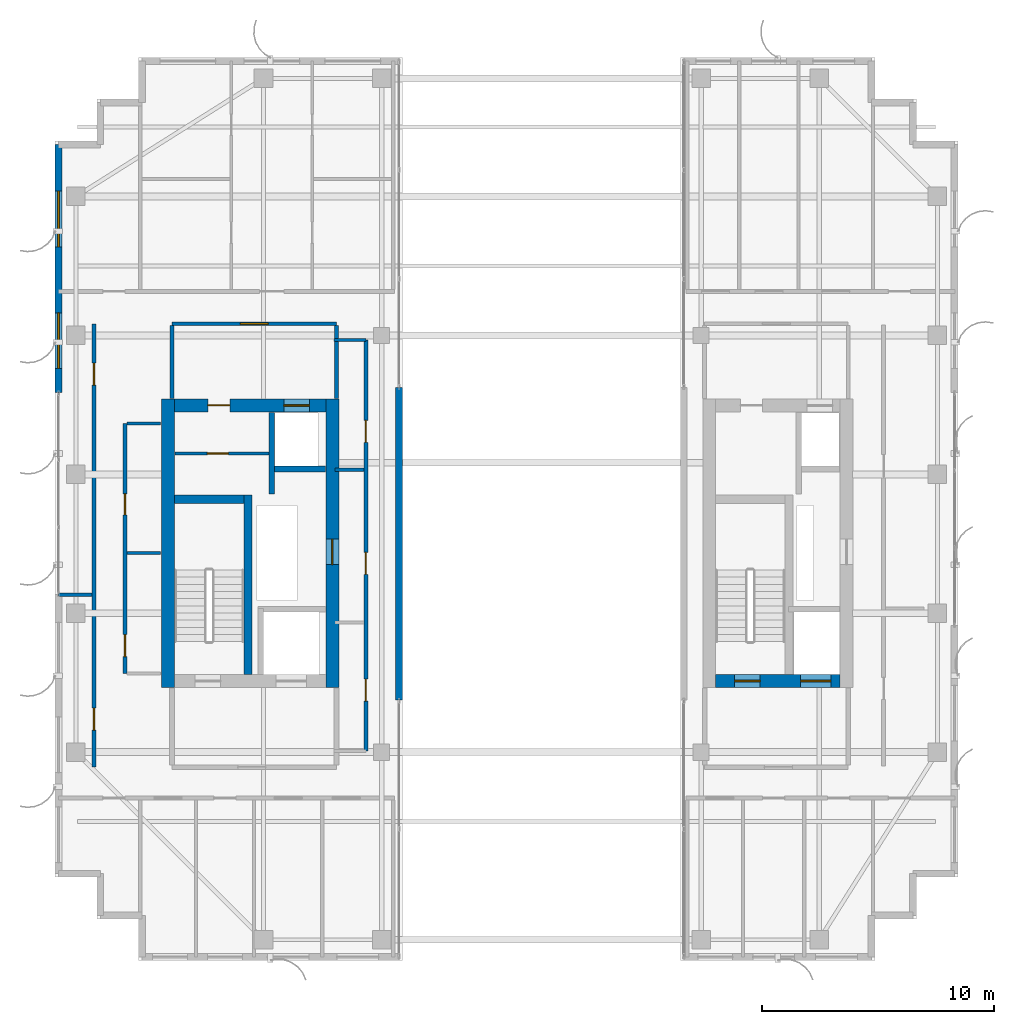
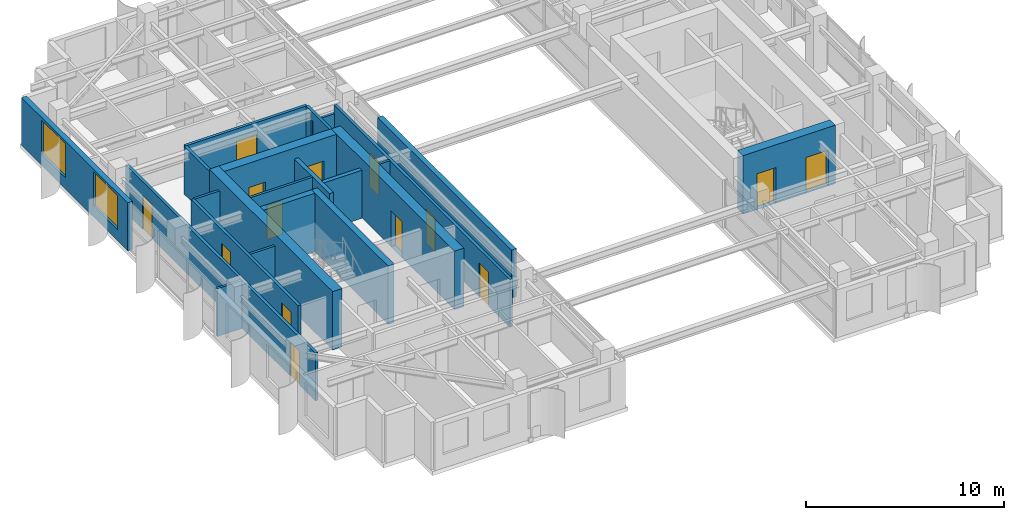
# One storey, part 20 of 25: 22 walls, 14 doors, 2 windows, 16 openings.
"""IFC4 building model written with IfcOpenShell, lengths in metres."""

from ifc_helpers import new_model, si_unit, direction, frame, frame_2d, origin, place, context, subcontext, project, spatial, rectangle, extrude, source, transform, mapped, material, layer, layer_set, type_object, element, fill, save


model = new_model("IFC4")

# Units and contexts
model_context = context("Model", 3, precision=1e-05, world=origin(), true_north=direction((0.0, 1.0)))
body_context = subcontext(model_context, "Body", "Model", "MODEL_VIEW")
ifc_project = project(units=[si_unit("LENGTHUNIT", "METRE"), si_unit("AREAUNIT", "SQUARE_METRE"), si_unit("VOLUMEUNIT", "CUBIC_METRE"), si_unit("PLANEANGLEUNIT", "RADIAN"), si_unit("MASSUNIT", "GRAM", prefix="KILO")], contexts=[model_context])

# Site, building, storey
site_placement = place(None, origin())
site = spatial("IfcSite", under=ifc_project, at=site_placement, CompositionType="ELEMENT")
building_placement = place(site_placement, origin())
building = spatial("IfcBuilding", under=site, at=building_placement, Name="Khoralis Quay Care Tower", CompositionType="ELEMENT")
storey_placement = place(building_placement, frame((0.0, 0.0, 263.699951171875)))
storey = spatial("IfcBuildingStorey", under=building, at=storey_placement, Name="L69", CompositionType="ELEMENT", Elevation=263.699951171875)

# Wall
ifc_material_1 = material(Name="Concrete C65/80", Category="concrete")
ifc_layer_1 = layer(ifc_material_1, 0.550048828125)
ifc_layer_set_1 = layer_set([ifc_layer_1], Name="Concrete C65/80")
wall_type_1 = type_object("IfcWallType", Name="WL-CORE-550", PredefinedType="SHEAR", material=ifc_layer_set_1)
wall_1_placement = place(storey_placement, frame((7.875, 14.800048828125, 0.0), z_axis=(0.0, 0.0, 1.0), x_axis=(0.0, 1.0, 0.0)))
element("IfcWall", 1, at=wall_1_placement, inside=storey, type_object=wall_type_1, Name="L69 WCORE West Shear Wall", PredefinedType="SHEAR", context=body_context, shape_type="SweptSolid", body=[
    extrude(rectangle(XDim=12.449951171875, YDim=0.550048828125, at=frame_2d((6.22509765625, 0.0))), origin(), (0.0, 0.0, 1.0), 3.60009765625),
])

# Wall, opening, door
wall_2_placement = place(storey_placement, frame((14.97509765625, 14.800048828125, 0.0), z_axis=(0.0, 0.0, 1.0), x_axis=(0.0, 1.0, 0.0)))
wall_2 = element("IfcWall", 2, at=wall_2_placement, inside=storey, type_object=wall_type_1, Name="L69 WCORE East Shear Wall", PredefinedType="SHEAR", context=body_context, shape_type="SweptSolid", body=[
    extrude(rectangle(XDim=12.449951171875, YDim=0.550048828125, at=frame_2d((6.22509765625, 0.0))), origin(), (0.0, 0.0, 1.0), 3.60009765625),
])
opening_1_placement = place(wall_2_placement, frame((5.300048828125, 0.0, 0.0)))
opening_1 = element("IfcOpeningElement", 3, at=opening_1_placement, cuts=wall_2, Name="Opening SD1", PredefinedType="OPENING", context=body_context, shape_type="SweptSolid", body=[
    extrude(rectangle(XDim=1.10009765625, YDim=2.199951171875, at=frame_2d((0.550048828125, 1.10009765625))), frame((0.0, 0.28515625, 0.0), z_axis=(0.0, -1.0, 0.0), x_axis=(1.0, 0.0, 0.0)), (0.0, 0.0, 1.0), 0.570068359375),
])
ifc_material_2 = material(Name="Fire-rated painted steel", Category="steel")
door_type_1 = type_object("IfcDoorType", Name="DR-STAIR-1100X2200", OperationType="NOTDEFINED", PredefinedType="DOOR", material=ifc_material_2)
shared_shape_1 = source(origin(), body_context, "Body", "SweptSolid", [
    extrude(rectangle(XDim=1.10009765625, YDim=2.199951171875, at=frame_2d((0.550048828125, 1.10009765625))), frame((0.0, 0.02490234375, 0.0), z_axis=(0.0, -1.0, 0.0), x_axis=(1.0, 0.0, 0.0)), (0.0, 0.0, 1.0), 0.050048828125),
])
door_1_placement = place(opening_1_placement, origin())
door_1 = element("IfcDoor", 4, at=door_1_placement, inside=storey, type_object=door_type_1, Name="L69 West MEP Riser Door", OperationType="SINGLE_SWING_LEFT", OverallHeight=2.199951171875, OverallWidth=1.10009765625, PredefinedType="DOOR", context=body_context, shape_type="MappedRepresentation", body=[
    mapped(shared_shape_1, transform((0.0, 0.0, 0.0), scale=1.0)),
])
fill(opening_1, door_1)

# Wall, openings, doors
wall_3_placement = place(storey_placement, frame((8.14990234375, 26.97509765625, 0.0), z_axis=(0.0, 0.0, 1.0), x_axis=(1.0, 0.0, 0.0)))
wall_3 = element("IfcWall", 5, at=wall_3_placement, inside=storey, type_object=wall_type_1, Name="L69 WCORE North Shear Wall", PredefinedType="SHEAR", context=body_context, shape_type="SweptSolid", body=[
    extrude(rectangle(XDim=6.550048828125, YDim=0.550048828125, at=frame_2d((3.27490234375, 0.0))), origin(), (0.0, 0.0, 1.0), 3.60009765625),
])
opening_2_placement = place(wall_3_placement, frame((1.449951171875, 0.0, 0.0)))
opening_2 = element("IfcOpeningElement", 6, at=opening_2_placement, cuts=wall_3, Name="Opening ID1", PredefinedType="OPENING", context=body_context, shape_type="SweptSolid", body=[
    extrude(rectangle(XDim=0.949951171875, YDim=2.10009765625, at=frame_2d((0.47509765625, 1.050048828125))), frame((0.0, 0.28515625, 0.0), z_axis=(0.0, -1.0, 0.0), x_axis=(1.0, 0.0, 0.0)), (0.0, 0.0, 1.0), 0.570068359375),
])
opening_3_placement = place(wall_3_placement, frame((4.72998046875, 0.0, 0.0)))
opening_3 = element("IfcOpeningElement", 7, at=opening_3_placement, cuts=wall_3, Name="Opening LD1", PredefinedType="OPENING", context=body_context, shape_type="SweptSolid", body=[
    extrude(rectangle(XDim=1.10009765625, YDim=2.199951171875, at=frame_2d((0.550048828125, 1.10009765625))), frame((0.0, 0.28515625, 0.0), z_axis=(0.0, -1.0, 0.0), x_axis=(1.0, 0.0, 0.0)), (0.0, 0.0, 1.0), 0.570068359375),
])
ifc_material_3 = material(Name="Brushed stainless steel", Category="steel")
door_type_2 = type_object("IfcDoorType", Name="DR-LIFT-1100X2200", OperationType="SLIDING_TO_LEFT", PredefinedType="DOOR", material=ifc_material_3)
shared_shape_2 = source(origin(), body_context, "Body", "SweptSolid", [
    extrude(rectangle(XDim=1.10009765625, YDim=2.199951171875, at=frame_2d((0.550048828125, 1.10009765625))), frame((0.0, 0.02490234375, 0.0), z_axis=(0.0, -1.0, 0.0), x_axis=(1.0, 0.0, 0.0)), (0.0, 0.0, 1.0), 0.050048828125),
])
door_2_placement = place(opening_3_placement, origin())
door_2 = element("IfcDoor", 8, at=door_2_placement, inside=storey, type_object=door_type_2, Name="L69 Lift PLH1 Landing Door", OperationType="SLIDING_TO_LEFT", OverallHeight=2.199951171875, OverallWidth=1.10009765625, PredefinedType="DOOR", context=body_context, shape_type="MappedRepresentation", body=[
    mapped(shared_shape_2, transform((0.0, 0.0, 0.0), scale=1.0)),
])
fill(opening_3, door_2)
ifc_material_4 = material(Name="Acoustic hardwood timber", Category="wood")
door_type_3 = type_object("IfcDoorType", Name="DR-ROOM-950X2100", OperationType="NOTDEFINED", PredefinedType="DOOR", material=ifc_material_4)
shared_shape_3 = source(origin(), body_context, "Body", "SweptSolid", [
    extrude(rectangle(XDim=0.949951171875, YDim=2.10009765625, at=frame_2d((0.47509765625, 1.050048828125))), frame((0.0, 0.02490234375, 0.0), z_axis=(0.0, -1.0, 0.0), x_axis=(1.0, 0.0, 0.0)), (0.0, 0.0, 1.0), 0.050048828125),
])
door_3_placement = place(opening_2_placement, frame((0.949951171875, 0.0, 0.0), z_axis=(0.0, 0.0, 1.0), x_axis=(-1.0, 0.0, 0.0)))
door_3 = element("IfcDoor", 9, at=door_3_placement, inside=storey, type_object=door_type_3, Name="L69 Telemetry Study Door", OperationType="SINGLE_SWING_LEFT", OverallHeight=2.10009765625, OverallWidth=0.949951171875, PredefinedType="DOOR", context=body_context, shape_type="MappedRepresentation", body=[
    mapped(shared_shape_3, transform((0.0, 0.0, 0.0), scale=1.0)),
])
fill(opening_2, door_3)

wall_4_placement = place(storey_placement, frame((31.52001953125, 15.074951171875, 0.0), z_axis=(0.0, 0.0, 1.0), x_axis=(1.0, 0.0, 0.0)))
wall_4 = element("IfcWall", 10, at=wall_4_placement, inside=storey, type_object=wall_type_1, Name="L69 ECORE South Shear Wall", PredefinedType="SHEAR", context=body_context, shape_type="SweptSolid", body=[
    extrude(rectangle(XDim=5.3798828125, YDim=0.550048828125, at=frame_2d((2.68994140625, 0.0))), origin(), (0.0, 0.0, 1.0), 3.60009765625),
])
opening_4_placement = place(wall_4_placement, frame((0.830078125, 0.0, 0.0)))
opening_4 = element("IfcOpeningElement", 11, at=opening_4_placement, cuts=wall_4, Name="Opening SD1", PredefinedType="OPENING", context=body_context, shape_type="SweptSolid", body=[
    extrude(rectangle(XDim=1.10009765625, YDim=2.199951171875, at=frame_2d((0.550048828125, 1.10009765625))), frame((0.0, 0.28515625, 0.0), z_axis=(0.0, -1.0, 0.0), x_axis=(1.0, 0.0, 0.0)), (0.0, 0.0, 1.0), 0.570068359375),
])
opening_5_placement = place(wall_4_placement, frame((3.679931640625, 0.0, 0.0)))
opening_5 = element("IfcOpeningElement", 12, at=opening_5_placement, cuts=wall_4, Name="Opening LD2", PredefinedType="OPENING", context=body_context, shape_type="SweptSolid", body=[
    extrude(rectangle(XDim=1.300048828125, YDim=2.199951171875, at=frame_2d((0.64990234375, 1.10009765625))), frame((0.0, 0.28515625, 0.0), z_axis=(0.0, -1.0, 0.0), x_axis=(1.0, 0.0, 0.0)), (0.0, 0.0, 1.0), 0.570068359375),
])
door_4_placement = place(opening_4_placement, origin())
door_4 = element("IfcDoor", 13, at=door_4_placement, inside=storey, type_object=door_type_1, Name="L69 Stair ST-T2 Fire Door", OperationType="SINGLE_SWING_RIGHT", OverallHeight=2.199951171875, OverallWidth=1.10009765625, PredefinedType="DOOR", context=body_context, shape_type="MappedRepresentation", body=[
    mapped(shared_shape_1, transform((0.0, 0.0, 0.0), scale=1.0)),
])
fill(opening_4, door_4)
door_type_4 = type_object("IfcDoorType", Name="DR-LIFT-1300X2200", OperationType="SLIDING_TO_RIGHT", PredefinedType="DOOR", material=ifc_material_3)
shared_shape_4 = source(origin(), body_context, "Body", "SweptSolid", [
    extrude(rectangle(XDim=1.300048828125, YDim=2.199951171875, at=frame_2d((0.64990234375, 1.10009765625))), frame((0.0, 0.02490234375, 0.0), z_axis=(0.0, -1.0, 0.0), x_axis=(1.0, 0.0, 0.0)), (0.0, 0.0, 1.0), 0.050048828125),
])
door_5_placement = place(opening_5_placement, origin())
door_5 = element("IfcDoor", 14, at=door_5_placement, inside=storey, type_object=door_type_4, Name="L69 Firefighting Lift FFL-2 Landing Door", OperationType="SLIDING_TO_RIGHT", OverallHeight=2.199951171875, OverallWidth=1.300048828125, PredefinedType="DOOR", context=body_context, shape_type="MappedRepresentation", body=[
    mapped(shared_shape_4, transform((0.0, 0.0, 0.0), scale=1.0)),
])
fill(opening_5, door_5)

# Wall, opening, door
ifc_material_5 = material(Name="Gypsum plasterboard on acoustic metal stud")
ifc_layer_2 = layer(ifc_material_5, 0.1650390625)
ifc_layer_set_2 = layer_set([ifc_layer_2], Name="Gypsum plasterboard on acoustic metal stud")
wall_type_2 = type_object("IfcWallType", Name="WL-CORR-165", PredefinedType="PARTITIONING", material=ifc_layer_set_2)
wall_5_placement = place(storey_placement, frame((8.050048828125, 30.5, 0.0), z_axis=(0.0, 0.0, 1.0), x_axis=(1.0, 0.0, 0.0)))
wall_5 = element("IfcWall", 15, at=wall_5_placement, inside=storey, type_object=wall_type_2, Name="L69 West Lift Lobby North Wall", PredefinedType="PARTITIONING", context=body_context, shape_type="SweptSolid", body=[
    extrude(rectangle(XDim=7.099853515625, YDim=0.1650390625, at=frame_2d((3.5498046875, 0.0))), origin(), (0.0, 0.0, 1.0), 2.949951171875),
])
opening_6_placement = place(wall_5_placement, frame((2.949951171875, 0.0, 0.0)))
opening_6 = element("IfcOpeningElement", 16, at=opening_6_placement, cuts=wall_5, Name="Opening FD1", PredefinedType="OPENING", context=body_context, shape_type="SweptSolid", body=[
    extrude(rectangle(XDim=1.199951171875, YDim=2.199951171875, at=frame_2d((0.60009765625, 1.10009765625))), frame((0.0, 0.092529296875, 0.0), z_axis=(0.0, -1.0, 0.0), x_axis=(1.0, 0.0, 0.0)), (0.0, 0.0, 1.0), 0.18505859375),
])
door_type_5 = type_object("IfcDoorType", Name="DR-FFL-1200X2200", OperationType="NOTDEFINED", PredefinedType="DOOR", material=ifc_material_2)
shared_shape_5 = source(origin(), body_context, "Body", "SweptSolid", [
    extrude(rectangle(XDim=1.199951171875, YDim=2.199951171875, at=frame_2d((0.60009765625, 1.10009765625))), frame((0.0, 0.02490234375, 0.0), z_axis=(0.0, -1.0, 0.0), x_axis=(1.0, 0.0, 0.0)), (0.0, 0.0, 1.0), 0.050048828125),
])
door_6_placement = place(opening_6_placement, origin())
door_6 = element("IfcDoor", 17, at=door_6_placement, inside=storey, type_object=door_type_5, Name="L69 West Lift Lobby Double Door", OperationType="DOUBLE_DOOR_SINGLE_SWING", OverallHeight=2.199951171875, OverallWidth=1.199951171875, PredefinedType="DOOR", context=body_context, shape_type="MappedRepresentation", body=[
    mapped(shared_shape_5, transform((0.0, 0.0, 0.0), scale=1.0)),
])
fill(opening_6, door_6)

# Walls
for number, where, z_axis, x_axis, name in (
    (18, (8.050048828125, 27.27001953125, 0.0), (0.0, 0.0, 1.0), (0.0, 1.0, 0.0), "L69 West Lift Lobby West Wall"),
    (19, (15.14990234375, 27.27001953125, 0.0), (0.0, 0.0, 1.0), (0.0, 1.0, 0.0), "L69 West Lift Lobby East Wall"),
):
    element("IfcWall", number, at=place(storey_placement, frame(where, z_axis=z_axis, x_axis=x_axis)), inside=storey, type_object=wall_type_2, Name=name, PredefinedType="PARTITIONING", context=body_context, shape_type="SweptSolid", body=[
        extrude(rectangle(XDim=3.152587890625, YDim=0.1650390625, at=frame_2d((1.576171875, 0.0))), origin(), (0.0, 0.0, 1.0), 2.949951171875),
    ])

# Wall, openings, doors
wall_6_placement = place(storey_placement, frame((6.02001953125, 15.39990234375, 0.0), z_axis=(0.0, 0.0, 1.0), x_axis=(0.0, 1.0, 0.0)))
wall_6 = element("IfcWall", 20, at=wall_6_placement, inside=storey, type_object=wall_type_2, Name="L69 West Core Service Flank Wall", PredefinedType="PARTITIONING", context=body_context, shape_type="SweptSolid", body=[
    extrude(rectangle(XDim=10.800048828125, YDim=0.1650390625, at=frame_2d((5.39990234375, 0.0))), origin(), (0.0, 0.0, 1.0), 2.949951171875),
])
opening_7_placement = place(wall_6_placement, frame((0.72509765625, 0.0, 0.0)))
opening_7 = element("IfcOpeningElement", 21, at=opening_7_placement, cuts=wall_6, Name="Opening ID1", PredefinedType="OPENING", context=body_context, shape_type="SweptSolid", body=[
    extrude(rectangle(XDim=0.949951171875, YDim=2.10009765625, at=frame_2d((0.47509765625, 1.050048828125))), frame((0.0, 0.092529296875, 0.0), z_axis=(0.0, -1.0, 0.0), x_axis=(1.0, 0.0, 0.0)), (0.0, 0.0, 1.0), 0.18505859375),
])
opening_8_placement = place(wall_6_placement, frame((6.85009765625, 0.0, 0.0)))
opening_8 = element("IfcOpeningElement", 22, at=opening_8_placement, cuts=wall_6, Name="Opening WD1", PredefinedType="OPENING", context=body_context, shape_type="SweptSolid", body=[
    extrude(rectangle(XDim=0.89990234375, YDim=2.10009765625, at=frame_2d((0.449951171875, 1.050048828125))), frame((0.0, 0.092529296875, 0.0), z_axis=(0.0, -1.0, 0.0), x_axis=(1.0, 0.0, 0.0)), (0.0, 0.0, 1.0), 0.18505859375),
])
door_type_6 = type_object("IfcDoorType", Name="DR-BATH-900X2100", OperationType="NOTDEFINED", PredefinedType="DOOR", material=ifc_material_4)
shared_shape_6 = source(origin(), body_context, "Body", "SweptSolid", [
    extrude(rectangle(XDim=0.89990234375, YDim=2.10009765625, at=frame_2d((0.449951171875, 1.050048828125))), frame((0.0, 0.02490234375, 0.0), z_axis=(0.0, -1.0, 0.0), x_axis=(1.0, 0.0, 0.0)), (0.0, 0.0, 1.0), 0.050048828125),
])
door_7_placement = place(opening_8_placement, frame((0.89990234375, 0.0, 0.0), z_axis=(0.0, 0.0, 1.0), x_axis=(-1.0, 0.0, 0.0)))
door_7 = element("IfcDoor", 23, at=door_7_placement, inside=storey, type_object=door_type_6, Name="L69 Public Accessible WC Door", OperationType="SINGLE_SWING_LEFT", OverallHeight=2.10009765625, OverallWidth=0.89990234375, PredefinedType="DOOR", context=body_context, shape_type="MappedRepresentation", body=[
    mapped(shared_shape_6, transform((0.0, 0.0, 0.0), scale=1.0)),
])
fill(opening_8, door_7)
door_8_placement = place(opening_7_placement, frame((0.949951171875, 0.0, 0.0), z_axis=(0.0, 0.0, 1.0), x_axis=(-1.0, 0.0, 0.0)))
door_8 = element("IfcDoor", 24, at=door_8_placement, inside=storey, type_object=door_type_3, Name="L69 Housekeeping Linen Store Door", OperationType="SINGLE_SWING_RIGHT", OverallHeight=2.10009765625, OverallWidth=0.949951171875, PredefinedType="DOOR", context=body_context, shape_type="MappedRepresentation", body=[
    mapped(shared_shape_3, transform((0.0, 0.0, 0.0), scale=1.0)),
])
fill(opening_7, door_8)

wall_7_placement = place(storey_placement, frame((4.679931640625, 11.35009765625, 0.0), z_axis=(0.0, 0.0, 1.0), x_axis=(0.0, 1.0, 0.0)))
wall_7 = element("IfcWall", 25, at=wall_7_placement, inside=storey, type_object=wall_type_2, Name="L69 West Mid South Entry Wall", PredefinedType="PARTITIONING", context=body_context, shape_type="SweptSolid", body=[
    extrude(rectangle(XDim=19.14990234375, YDim=0.1650390625, at=frame_2d((9.574951171875, 0.0))), origin(), (0.0, 0.0, 1.0), 2.949951171875),
])
opening_9_placement = place(wall_7_placement, frame((1.60009765625, 0.0, 0.0)))
opening_9 = element("IfcOpeningElement", 26, at=opening_9_placement, cuts=wall_7, Name="Opening ID1", PredefinedType="OPENING", context=body_context, shape_type="SweptSolid", body=[
    extrude(rectangle(XDim=0.949951171875, YDim=2.10009765625, at=frame_2d((0.47509765625, 1.050048828125))), frame((0.0, 0.092529296875, 0.0), z_axis=(0.0, -1.0, 0.0), x_axis=(1.0, 0.0, 0.0)), (0.0, 0.0, 1.0), 0.18505859375),
])
opening_10_placement = place(wall_7_placement, frame((16.5, 0.0, 0.0)))
opening_10 = element("IfcOpeningElement", 27, at=opening_10_placement, cuts=wall_7, Name="Opening ID1", PredefinedType="OPENING", context=body_context, shape_type="SweptSolid", body=[
    extrude(rectangle(XDim=0.949951171875, YDim=2.10009765625, at=frame_2d((0.47509765625, 1.050048828125))), frame((0.0, 0.092529296875, 0.0), z_axis=(0.0, -1.0, 0.0), x_axis=(1.0, 0.0, 0.0)), (0.0, 0.0, 1.0), 0.18505859375),
])
door_9_placement = place(opening_9_placement, frame((0.949951171875, 0.0, 0.0), z_axis=(0.0, 0.0, 1.0), x_axis=(-1.0, 0.0, 0.0)))
door_9 = element("IfcDoor", 28, at=door_9_placement, inside=storey, type_object=door_type_3, Name="L69 West Resident Pharmacy Kiosk Door", OperationType="SINGLE_SWING_LEFT", OverallHeight=2.10009765625, OverallWidth=0.949951171875, PredefinedType="DOOR", context=body_context, shape_type="MappedRepresentation", body=[
    mapped(shared_shape_3, transform((0.0, 0.0, 0.0), scale=1.0)),
])
fill(opening_9, door_9)
door_10_placement = place(opening_10_placement, frame((0.949951171875, 0.0, 0.0), z_axis=(0.0, 0.0, 1.0), x_axis=(-1.0, 0.0, 0.0)))
door_10 = element("IfcDoor", 29, at=door_10_placement, inside=storey, type_object=door_type_3, Name="L69 West Care Coordinator Office Door", OperationType="SINGLE_SWING_RIGHT", OverallHeight=2.10009765625, OverallWidth=0.949951171875, PredefinedType="DOOR", context=body_context, shape_type="MappedRepresentation", body=[
    mapped(shared_shape_3, transform((0.0, 0.0, 0.0), scale=1.0)),
])
fill(opening_10, door_10)

wall_8_placement = place(storey_placement, frame((16.419921875, 12.050048828125, 0.0), z_axis=(0.0, 0.0, 1.0), x_axis=(0.0, 1.0, 0.0)))
wall_8 = element("IfcWall", 30, at=wall_8_placement, inside=storey, type_object=wall_type_2, Name="L69 Portal Gallery Wall", PredefinedType="PARTITIONING", context=body_context, shape_type="SweptSolid", body=[
    extrude(rectangle(XDim=17.75, YDim=0.1650390625, at=frame_2d((8.875, 0.0))), origin(), (0.0, 0.0, 1.0), 2.949951171875),
])
opening_11_placement = place(wall_8_placement, frame((2.14990234375, 0.0, 0.0)))
opening_11 = element("IfcOpeningElement", 31, at=opening_11_placement, cuts=wall_8, Name="Opening ID1", PredefinedType="OPENING", context=body_context, shape_type="SweptSolid", body=[
    extrude(rectangle(XDim=0.949951171875, YDim=2.10009765625, at=frame_2d((0.47509765625, 1.050048828125))), frame((0.0, 0.092529296875, 0.0), z_axis=(0.0, -1.0, 0.0), x_axis=(1.0, 0.0, 0.0)), (0.0, 0.0, 1.0), 0.18505859375),
])
opening_12_placement = place(wall_8_placement, frame((7.625, 0.0, 0.0)))
opening_12 = element("IfcOpeningElement", 32, at=opening_12_placement, cuts=wall_8, Name="Opening ID1", PredefinedType="OPENING", context=body_context, shape_type="SweptSolid", body=[
    extrude(rectangle(XDim=0.949951171875, YDim=2.10009765625, at=frame_2d((0.47509765625, 1.050048828125))), frame((0.0, 0.092529296875, 0.0), z_axis=(0.0, -1.0, 0.0), x_axis=(1.0, 0.0, 0.0)), (0.0, 0.0, 1.0), 0.18505859375),
])
opening_13_placement = place(wall_8_placement, frame((13.324951171875, 0.0, 0.0)))
opening_13 = element("IfcOpeningElement", 33, at=opening_13_placement, cuts=wall_8, Name="Opening ID1", PredefinedType="OPENING", context=body_context, shape_type="SweptSolid", body=[
    extrude(rectangle(XDim=0.949951171875, YDim=2.10009765625, at=frame_2d((0.47509765625, 1.050048828125))), frame((0.0, 0.092529296875, 0.0), z_axis=(0.0, -1.0, 0.0), x_axis=(1.0, 0.0, 0.0)), (0.0, 0.0, 1.0), 0.18505859375),
])
door_11_placement = place(opening_11_placement, frame((0.949951171875, 0.0, 0.0), z_axis=(0.0, 0.0, 1.0), x_axis=(-1.0, 0.0, 0.0)))
door_11 = element("IfcDoor", 34, at=door_11_placement, inside=storey, type_object=door_type_3, Name="L69 Portal Case Meeting Room Door", OperationType="SINGLE_SWING_LEFT", OverallHeight=2.10009765625, OverallWidth=0.949951171875, PredefinedType="DOOR", context=body_context, shape_type="MappedRepresentation", body=[
    mapped(shared_shape_3, transform((0.0, 0.0, 0.0), scale=1.0)),
])
fill(opening_11, door_11)
door_12_placement = place(opening_12_placement, frame((0.949951171875, 0.0, 0.0), z_axis=(0.0, 0.0, 1.0), x_axis=(-1.0, 0.0, 0.0)))
door_12 = element("IfcDoor", 35, at=door_12_placement, inside=storey, type_object=door_type_3, Name="L69 Portal Pharmacy Kiosk Door", OperationType="SINGLE_SWING_LEFT", OverallHeight=2.10009765625, OverallWidth=0.949951171875, PredefinedType="DOOR", context=body_context, shape_type="MappedRepresentation", body=[
    mapped(shared_shape_3, transform((0.0, 0.0, 0.0), scale=1.0)),
])
fill(opening_12, door_12)
door_13_placement = place(opening_13_placement, frame((0.949951171875, 0.0, 0.0), z_axis=(0.0, 0.0, 1.0), x_axis=(-1.0, 0.0, 0.0)))
door_13 = element("IfcDoor", 36, at=door_13_placement, inside=storey, type_object=door_type_3, Name="L69 Portal Consultation Clinic Door", OperationType="SINGLE_SWING_LEFT", OverallHeight=2.10009765625, OverallWidth=0.949951171875, PredefinedType="DOOR", context=body_context, shape_type="MappedRepresentation", body=[
    mapped(shared_shape_3, transform((0.0, 0.0, 0.0), scale=1.0)),
])
fill(opening_13, door_13)

# Wall
ifc_material_6 = material(Name="Precast concrete C45/55", Category="concrete")
ifc_layer_3 = layer(ifc_material_6, 0.300048828125)
ifc_layer_set_3 = layer_set([ifc_layer_3], Name="Precast concrete C45/55")
wall_type_3 = type_object("IfcWallType", Name="WL-EXT-REF-300", PredefinedType="SOLIDWALL", material=ifc_layer_set_3)
wall_9_placement = place(storey_placement, frame((17.85009765625, 14.25, 0.0), z_axis=(0.0, 0.0, 1.0), x_axis=(0.0, 1.0, 0.0)))
element("IfcWall", 37, at=wall_9_placement, inside=storey, type_object=wall_type_3, Name="L69 External Facade Wall WL-VP-L69-P1-M", PredefinedType="SOLIDWALL", context=body_context, shape_type="SweptSolid", body=[
    extrude(rectangle(XDim=13.5, YDim=0.300048828125, at=frame_2d((6.75, 0.0))), origin(), (0.0, 0.0, 1.0), 2.949951171875),
])

# Wall, openings, windows
wall_10_placement = place(storey_placement, frame((3.14990234375, 38.25, 0.0), z_axis=(0.0, 0.0, 1.0), x_axis=(0.0, -1.0, 0.0)))
wall_10 = element("IfcWall", 38, at=wall_10_placement, inside=storey, type_object=wall_type_3, Name="L69 External Facade Wall WL-EXT-L69-P1-E7A", PredefinedType="SOLIDWALL", context=body_context, shape_type="SweptSolid", body=[
    extrude(rectangle(XDim=10.7099609375, YDim=0.300048828125, at=frame_2d((5.35498046875, 0.0))), origin(), (0.0, 0.0, 1.0), 2.949951171875),
])
opening_14_placement = place(wall_10_placement, frame((2.02490234375, 0.0, 0.68994140625)))
opening_14 = element("IfcOpeningElement", 39, at=opening_14_placement, cuts=wall_10, Name="Opening W1", PredefinedType="OPENING", context=body_context, shape_type="SweptSolid", body=[
    extrude(rectangle(XDim=2.39990234375, YDim=2.10009765625, at=frame_2d((1.199951171875, 1.050048828125))), frame((0.0, 0.16015625, 0.0), z_axis=(0.0, -1.0, 0.0), x_axis=(1.0, 0.0, 0.0)), (0.0, 0.0, 1.0), 0.320068359375),
])
opening_15_placement = place(wall_10_placement, frame((7.280029296875, 0.0, 0.68994140625)))
opening_15 = element("IfcOpeningElement", 40, at=opening_15_placement, cuts=wall_10, Name="Opening W1", PredefinedType="OPENING", context=body_context, shape_type="SweptSolid", body=[
    extrude(rectangle(XDim=2.39990234375, YDim=2.10009765625, at=frame_2d((1.199951171875, 1.050048828125))), frame((0.0, 0.16015625, 0.0), z_axis=(0.0, -1.0, 0.0), x_axis=(1.0, 0.0, 0.0)), (0.0, 0.0, 1.0), 0.320068359375),
])
ifc_material_7 = material(Name="Low-E solar-control double glazing", Category="glass")
window_type = type_object("IfcWindowType", Name="WN-POD-2400X2100", PartitioningType="SINGLE_PANEL", PredefinedType="WINDOW", material=ifc_material_7)
shared_shape_7 = source(origin(), body_context, "Body", "SweptSolid", [
    extrude(rectangle(XDim=2.39990234375, YDim=2.10009765625, at=frame_2d((1.199951171875, 1.050048828125))), frame((0.0, 0.030029296875, 0.0), z_axis=(0.0, -1.0, 0.0), x_axis=(1.0, 0.0, 0.0)), (0.0, 0.0, 1.0), 0.06005859375),
])
window_1_placement = place(opening_14_placement, origin())
window_1 = element("IfcWindow", 41, at=window_1_placement, inside=storey, type_object=window_type, Name="WN-L69-P1-E7A Facade Window 01", OverallHeight=2.10009765625, OverallWidth=2.39990234375, PartitioningType="SINGLE_PANEL", PredefinedType="WINDOW", context=body_context, shape_type="MappedRepresentation", body=[
    mapped(shared_shape_7, transform((0.0, 0.0, 0.0), scale=1.0)),
])
fill(opening_14, window_1)
window_2_placement = place(opening_15_placement, origin())
window_2 = element("IfcWindow", 42, at=window_2_placement, inside=storey, type_object=window_type, Name="WN-L69-P1-E7A Facade Window 02", OverallHeight=2.10009765625, OverallWidth=2.39990234375, PartitioningType="SINGLE_PANEL", PredefinedType="WINDOW", context=body_context, shape_type="MappedRepresentation", body=[
    mapped(shared_shape_7, transform((0.0, 0.0, 0.0), scale=1.0)),
])
fill(opening_15, window_2)

# Walls
ifc_material_8 = material(Name="Moisture-resistant gypsum and ceramic tile")
ifc_layer_4 = layer(ifc_material_8, 0.280029296875)
ifc_layer_set_4 = layer_set([ifc_layer_4], Name="Moisture-resistant gypsum and ceramic tile")
wall_type_4 = type_object("IfcWallType", Name="WL-PLUMB-280", PredefinedType="PLUMBINGWALL", material=ifc_layer_set_4)
wall_11_placement = place(storey_placement, frame((6.097412109375, 20.60009765625, 0.0), z_axis=(0.0, 0.0, 1.0), x_axis=(1.0, 0.0, 0.0)))
element("IfcWall", 43, at=wall_11_placement, inside=storey, type_object=wall_type_4, Name="L69 West Flank Divider 1", PredefinedType="PLUMBINGWALL", context=body_context, shape_type="SweptSolid", body=[
    extrude(rectangle(XDim=1.462646484375, YDim=0.139892578125, at=frame_2d((0.7314453125, 0.0))), origin(), (0.0, 0.0, 1.0), 2.949951171875),
])
ifc_material_9 = material(Name="Concrete C40/50", Category="concrete")
ifc_layer_5 = layer(ifc_material_9, 0.35009765625)
ifc_layer_set_5 = layer_set([ifc_layer_5], Name="Concrete C40/50")
wall_type_5 = type_object("IfcWallType", Name="WL-SC-CORE-350", PredefinedType="SHEAR", material=ifc_layer_set_5)
wall_12_placement = place(storey_placement, frame((11.324951171875, 15.35009765625, 0.0), z_axis=(0.0, 0.0, 1.0), x_axis=(0.0, 1.0, 0.0)))
element("IfcWall", 44, at=wall_12_placement, inside=storey, type_object=wall_type_5, Name="L69 Stair ST-T1 Shear Baffle Wall East", PredefinedType="SHEAR", context=body_context, shape_type="SweptSolid", body=[
    extrude(rectangle(XDim=7.75, YDim=0.35009765625, at=frame_2d((3.875, 0.0))), origin(), (0.0, 0.0, 1.0), 3.60009765625),
])
wall_13_placement = place(storey_placement, frame((8.14990234375, 22.925048828125, 0.0), z_axis=(0.0, 0.0, 1.0), x_axis=(1.0, 0.0, 0.0)))
element("IfcWall", 45, at=wall_13_placement, inside=storey, type_object=wall_type_5, Name="L69 Stair ST-T1 Shear Baffle Wall North", PredefinedType="SHEAR", context=body_context, shape_type="SweptSolid", body=[
    extrude(rectangle(XDim=3.0, YDim=0.35009765625, at=frame_2d((1.5, 0.0))), origin(), (0.0, 0.0, 1.0), 3.60009765625),
])
ifc_layer_6 = layer(ifc_material_5, 0.239990234375)
ifc_layer_set_6 = layer_set([ifc_layer_6], Name="Gypsum plasterboard on acoustic metal stud")
wall_type_6 = type_object("IfcWallType", Name="WL-SHAFT-240", PredefinedType="PARTITIONING", material=ifc_layer_set_6)
wall_14_placement = place(storey_placement, frame((12.35009765625, 23.139892578125, 0.0), z_axis=(0.0, 0.0, 1.0), x_axis=(0.0, 1.0, 0.0)))
element("IfcWall", 46, at=wall_14_placement, inside=storey, type_object=wall_type_6, Name="L69 High-Rise Reclaimed Bay Wall West", PredefinedType="PARTITIONING", context=body_context, shape_type="SweptSolid", body=[
    extrude(rectangle(XDim=3.5400390625, YDim=0.239990234375, at=frame_2d((1.77001953125, 0.0))), origin(), (0.0, 0.0, 1.0), 2.949951171875),
])
wall_15_placement = place(storey_placement, frame((12.465087890625, 24.22998046875, 0.0), z_axis=(0.0, 0.0, 1.0), x_axis=(1.0, 0.0, 0.0)))
element("IfcWall", 47, at=wall_15_placement, inside=storey, type_object=wall_type_6, Name="L69 High-Rise Shaft South Wall West", PredefinedType="PARTITIONING", context=body_context, shape_type="SweptSolid", body=[
    extrude(rectangle(XDim=2.21484375, YDim=0.239990234375, at=frame_2d((1.107421875, 0.0))), origin(), (0.0, 0.0, 1.0), 2.949951171875),
])

# Wall, opening, door
ifc_layer_7 = layer(ifc_material_5, 0.139892578125)
ifc_layer_set_7 = layer_set([ifc_layer_7], Name="Gypsum plasterboard on acoustic metal stud")
wall_type_7 = type_object("IfcWallType", Name="WL-UNIT-140", PredefinedType="PARTITIONING", material=ifc_layer_set_7)
wall_16_placement = place(storey_placement, frame((8.179931640625, 24.89990234375, 0.0), z_axis=(0.0, 0.0, 1.0), x_axis=(1.0, 0.0, 0.0)))
wall_16 = element("IfcWall", 48, at=wall_16_placement, inside=storey, type_object=wall_type_7, Name="L69 High-Rise West Core Split H", PredefinedType="PARTITIONING", context=body_context, shape_type="SweptSolid", body=[
    extrude(rectangle(XDim=4.05517578125, YDim=0.139892578125, at=frame_2d((2.027587890625, 0.0))), origin(), (0.0, 0.0, 1.0), 2.949951171875),
])
opening_16_placement = place(wall_16_placement, frame((1.39990234375, 0.0, 0.0)))
opening_16 = element("IfcOpeningElement", 49, at=opening_16_placement, cuts=wall_16, Name="Opening WD1", PredefinedType="OPENING", context=body_context, shape_type="SweptSolid", body=[
    extrude(rectangle(XDim=0.89990234375, YDim=2.10009765625, at=frame_2d((0.449951171875, 1.050048828125))), frame((0.0, 0.080078125, 0.0), z_axis=(0.0, -1.0, 0.0), x_axis=(1.0, 0.0, 0.0)), (0.0, 0.0, 1.0), 0.159912109375),
])
door_14_placement = place(opening_16_placement, frame((0.89990234375, 0.0, 0.0), z_axis=(0.0, 0.0, 1.0), x_axis=(-1.0, 0.0, 0.0)))
door_14 = element("IfcDoor", 50, at=door_14_placement, inside=storey, type_object=door_type_6, Name="L69 Medical Supply Store Door", OperationType="SINGLE_SWING_LEFT", OverallHeight=2.10009765625, OverallWidth=0.89990234375, PredefinedType="DOOR", context=body_context, shape_type="MappedRepresentation", body=[
    mapped(shared_shape_6, transform((0.0, 0.0, 0.0), scale=1.0)),
])
fill(opening_16, door_14)

# Walls
wall_17_placement = place(storey_placement, frame((6.097412109375, 26.199951171875, 0.0), z_axis=(0.0, 0.0, 1.0), x_axis=(1.0, 0.0, 0.0)))
element("IfcWall", 51, at=wall_17_placement, inside=storey, type_object=wall_type_7, Name="L69 West Flank North Cap", PredefinedType="PARTITIONING", context=body_context, shape_type="SweptSolid", body=[
    extrude(rectangle(XDim=1.462646484375, YDim=0.139892578125, at=frame_2d((0.7314453125, 0.0))), origin(), (0.0, 0.0, 1.0), 2.949951171875),
])
wall_18_placement = place(storey_placement, frame((3.14501953125, 18.800048828125, 0.0), z_axis=(0.0, 0.0, 1.0), x_axis=(1.0, 0.0, 0.0)))
element("IfcWall", 52, at=wall_18_placement, inside=storey, type_object=wall_type_7, Name="L69 West Mid Split", PredefinedType="PARTITIONING", context=body_context, shape_type="SweptSolid", body=[
    extrude(rectangle(XDim=1.45751953125, YDim=0.139892578125, at=frame_2d((0.728759765625, 0.0))), origin(), (0.0, 0.0, 1.0), 2.949951171875),
])
wall_19_placement = place(storey_placement, frame((15.080078125, 24.199951171875, 0.0), z_axis=(0.0, 0.0, 1.0), x_axis=(1.0, 0.0, 0.0)))
element("IfcWall", 53, at=wall_19_placement, inside=storey, type_object=wall_type_7, Name="L69 Portal Divider 2", PredefinedType="PARTITIONING", context=body_context, shape_type="SweptSolid", body=[
    extrude(rectangle(XDim=1.262451171875, YDim=0.139892578125, at=frame_2d((0.63134765625, 0.0))), origin(), (0.0, 0.0, 1.0), 2.949951171875),
])
wall_20_placement = place(storey_placement, frame((15.050048828125, 29.800048828125, 0.0), z_axis=(0.0, 0.0, 1.0), x_axis=(1.0, 0.0, 0.0)))
element("IfcWall", 54, at=wall_20_placement, inside=storey, type_object=wall_type_7, Name="L69 Portal Alcove North Wall", PredefinedType="PARTITIONING", context=body_context, shape_type="SweptSolid", body=[
    extrude(rectangle(XDim=1.369873046875, YDim=0.139892578125, at=frame_2d((0.68505859375, 0.0))), origin(), (0.0, 0.0, 1.0), 2.449951171875),
])

save(model, "model.ifc")
